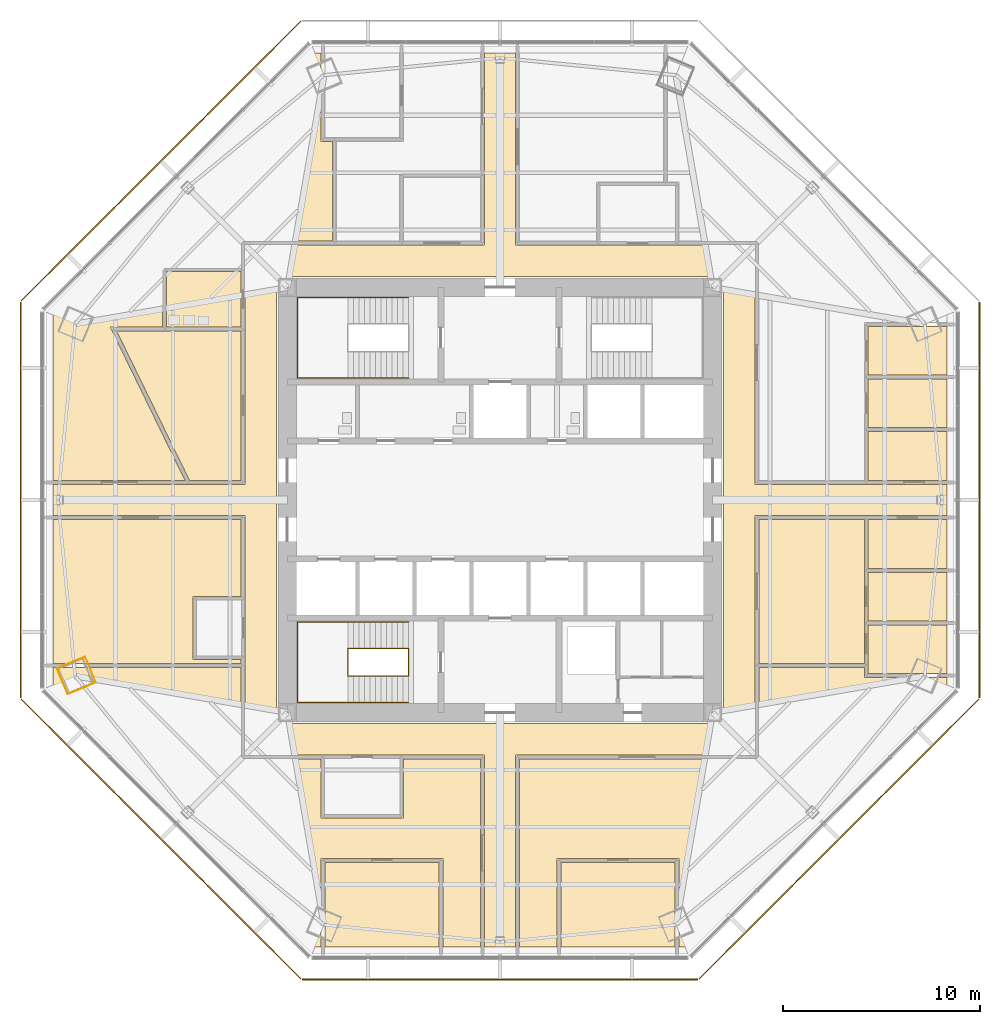
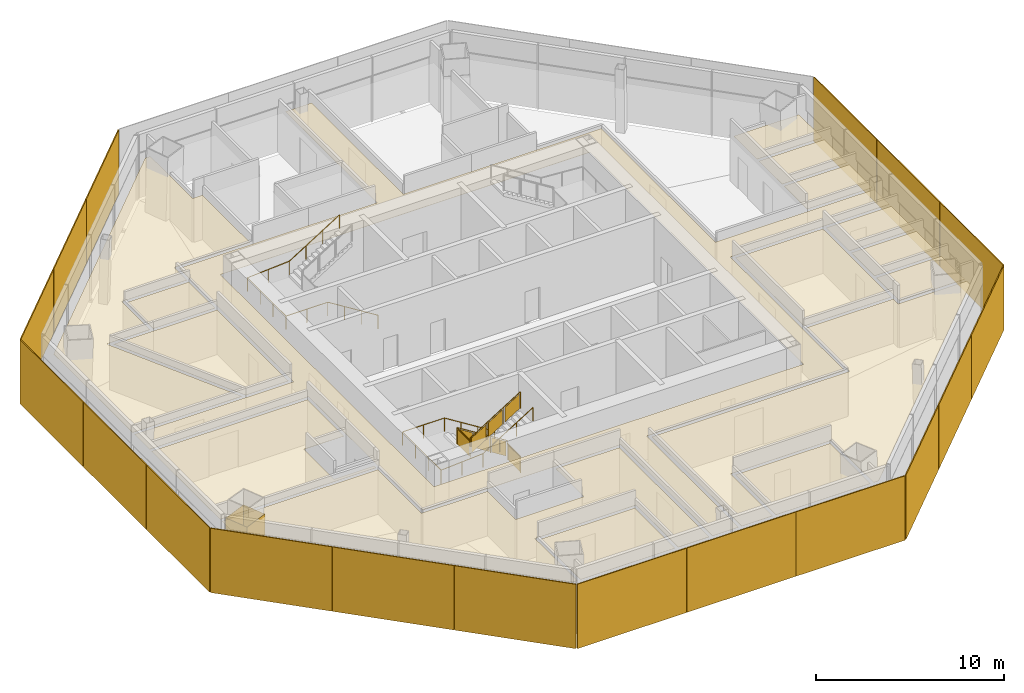
# One storey, part 13 of 15: 18 shading devices, 17 coverings, 3 railings.
"""IFC4 building model written with IfcOpenShell, lengths in metres."""

from ifc_helpers import new_model, si_unit, direction, frame, origin, origin_2d, place, context, subcontext, project, spatial, polyline, rectangle, circle, outline, extrude, source, transform, mapped, material, layer, layer_set, type_object, type_shapes, element, save


model = new_model("IFC4")

# Units and contexts
model_context = context("Model", 3, precision=1e-05, world=origin(), true_north=direction((0.0, 1.0)))
body_context = subcontext(model_context, "Body", "Model", "MODEL_VIEW")
ifc_project = project(units=[si_unit("LENGTHUNIT", "METRE"), si_unit("AREAUNIT", "SQUARE_METRE"), si_unit("VOLUMEUNIT", "CUBIC_METRE"), si_unit("PLANEANGLEUNIT", "RADIAN"), si_unit("MASSUNIT", "GRAM", prefix="KILO")], contexts=[model_context])

# Site, building, storey
site_placement = place(None, origin())
site = spatial("IfcSite", under=ifc_project, at=site_placement, CompositionType="ELEMENT")
building_placement = place(site_placement, origin())
building = spatial("IfcBuilding", under=site, at=building_placement, Name="Mashrafa Tower", CompositionType="ELEMENT")
storey_placement = place(building_placement, frame((0.0, 0.0, 168.0)))
storey = spatial("IfcBuildingStorey", under=building, at=storey_placement, Name="L38", CompositionType="ELEMENT", Elevation=168.0)

# Covering
ifc_material_1 = material(Name="Gypsum board")
ifc_layer_1 = layer(ifc_material_1, 0.014892578125)
ifc_layer_set_1 = layer_set([ifc_layer_1], Name="Column casing plasterboard 15")
covering_type_1 = type_object("IfcCoveringType", Name="Column casing plasterboard 15", PredefinedType="CLADDING", material=ifc_layer_set_1)
covering_1_placement = place(storey_placement, origin())
element("IfcCovering", 1, at=covering_1_placement, inside=storey, type_object=covering_type_1, Name="Column casing L38-002", PredefinedType="CLADDING", context=body_context, shape_type="SweptSolid", body=[
    extrude(outline(polyline([(-22.5185546875, -8.5537109375), (-21.077880859375, -7.956787109375), (-20.53076171875, -9.278076171875), (-20.663330078125, -9.3330078125), (-21.97119140625, -9.874755859375), (-22.5185546875, -8.5537109375)]), holes=[polyline([(-20.669189453125, -9.319091796875), (-20.55029296875, -9.27001953125), (-21.086181640625, -7.9765625), (-22.498779296875, -8.561767578125), (-21.963134765625, -9.85498046875), (-20.669189453125, -9.319091796875)])]), origin(), (0.0, 0.0, 1.0), 3.097900390625),
])

# Railings
ifc_material_2 = material(Name="Steel guard with glass infill", Category="steel")
railing_type_1 = type_object("IfcRailingType", Name="Stair guard 1100", PredefinedType="GUARDRAIL", material=ifc_material_2)
railing_1_placement = place(storey_placement, frame((-4.64990234375, -8.949951171875, 0.0)))
element("IfcRailing", 2, at=railing_1_placement, inside=storey, type_object=railing_type_1, Name="Stair S3 guard L38", PredefinedType="GUARDRAIL", context=body_context, shape_type="SweptSolid", body=[
    extrude(circle(Radius=0.02392578125, at=origin_2d()), frame((0.0, 0.0, 1.076171875), z_axis=(0.0, 1.0, 0.0), x_axis=(-1.0, 0.0, 0.0)), (0.0, 0.0, 1.0), 1.39990234375),
    extrude(circle(Radius=0.02392578125, at=origin_2d()), frame((0.0, 1.39990234375, 1.076171875), z_axis=(0.0, 0.0, 1.0), x_axis=(1.0, 0.0, 0.0)), (0.0, 0.0, 1.0), 0.175048828125),
    extrude(circle(Radius=0.02392578125, at=origin_2d()), frame((0.0, 1.39990234375, 1.2509765625), z_axis=(-0.847998304005, 0.0, 0.529998940003), x_axis=(0.0, -1.0, 0.0)), (0.0, 0.0, 1.0), 3.632080078125),
    extrude(circle(Radius=0.02392578125, at=origin_2d()), frame((-3.080078125, 1.39990234375, 3.17626953125), z_axis=(0.0, -1.0, 0.0), x_axis=(1.0, 0.0, 0.0)), (0.0, 0.0, 1.0), 1.39990234375),
    extrude(circle(Radius=0.02392578125, at=origin_2d()), frame((-3.080078125, 0.0, 3.17626953125), z_axis=(0.0, 0.0, 1.0), x_axis=(1.0, 0.0, 0.0)), (0.0, 0.0, 1.0), 0.1748046875),
    extrude(circle(Radius=0.02392578125, at=origin_2d()), frame((-3.080078125, 0.0, 3.35107421875), z_axis=(0.847998304005, 0.0, 0.529998940003), x_axis=(0.0, 1.0, 0.0)), (0.0, 0.0, 1.0), 3.632080078125),
    extrude(circle(Radius=0.02099609375, at=origin_2d()), origin(), (0.0, 0.0, 1.0), 1.052001953125),
    extrude(circle(Radius=0.02099609375, at=origin_2d()), frame((0.0, 1.39990234375, 0.0)), (0.0, 0.0, 1.0), 1.052001953125),
    extrude(circle(Radius=0.02099609375, at=origin_2d()), frame((0.0, 1.39990234375, 0.175048828125)), (0.0, 0.0, 1.0), 1.052001953125),
    extrude(circle(Radius=0.02099609375, at=origin_2d()), frame((-1.026611328125, 1.39990234375, 0.816650390625)), (0.0, 0.0, 1.0), 1.052001953125),
    extrude(circle(Radius=0.02099609375, at=origin_2d()), frame((-2.053466796875, 1.39990234375, 1.45849609375)), (0.0, 0.0, 1.0), 1.052001953125),
    extrude(circle(Radius=0.02099609375, at=origin_2d()), frame((-3.080078125, 1.39990234375, 2.10009765625)), (0.0, 0.0, 1.0), 1.052001953125),
    extrude(circle(Radius=0.02099609375, at=origin_2d()), frame((-3.080078125, 0.0, 2.10009765625)), (0.0, 0.0, 1.0), 1.052001953125),
    extrude(circle(Radius=0.02099609375, at=origin_2d()), frame((-3.080078125, 0.0, 2.27490234375)), (0.0, 0.0, 1.0), 1.052001953125),
    extrude(circle(Radius=0.02099609375, at=origin_2d()), frame((-2.053466796875, 0.0, 2.91650390625)), (0.0, 0.0, 1.0), 1.052001953125),
    extrude(circle(Radius=0.02099609375, at=origin_2d()), frame((-1.026611328125, 0.0, 3.558349609375)), (0.0, 0.0, 1.0), 1.052001953125),
    extrude(circle(Radius=0.02099609375, at=origin_2d()), frame((0.0, 0.0, 4.199951171875)), (0.0, 0.0, 1.0), 1.052001953125),
    extrude(outline(polyline([(0.071044921875, 0.050048828125), (1.328857421875, 0.050048828125), (1.328857421875, 1.001953125), (0.071044921875, 1.001953125), (0.071044921875, 0.050048828125)])), frame((0.006103515625, 0.0, 0.0), z_axis=(1.0, 0.0, 0.0), x_axis=(0.0, 1.0, 0.0)), (0.0, 0.0, 1.0), 0.011962890625),
    extrude(outline(polyline([(0.071044921875, 0.094482421875), (0.955810546875, 0.647216796875), (0.955810546875, 1.599365234375), (0.071044921875, 1.04638671875), (0.071044921875, 0.094482421875)])), frame((0.0, 1.406005859375, 0.175048828125), z_axis=(0.0, 1.0, 0.0), x_axis=(-1.0, 0.0, 0.0)), (0.0, 0.0, 1.0), 0.011962890625),
    extrude(outline(polyline([(1.09765625, 0.736083984375), (1.982421875, 1.2890625), (1.982421875, 2.240966796875), (1.09765625, 1.68798828125), (1.09765625, 0.736083984375)])), frame((0.0, 1.406005859375, 0.175048828125), z_axis=(0.0, 1.0, 0.0), x_axis=(-1.0, 0.0, 0.0)), (0.0, 0.0, 1.0), 0.011962890625),
    extrude(outline(polyline([(2.124267578125, 1.377685546875), (3.009033203125, 1.9306640625), (3.009033203125, 2.882568359375), (2.124267578125, 2.329833984375), (2.124267578125, 1.377685546875)])), frame((0.0, 1.406005859375, 0.175048828125), z_axis=(0.0, 1.0, 0.0), x_axis=(-1.0, 0.0, 0.0)), (0.0, 0.0, 1.0), 0.011962890625),
    extrude(outline(polyline([(0.071044921875, 0.050048828125), (1.328857421875, 0.050048828125), (1.328857421875, 1.001953125), (0.071044921875, 1.001953125), (0.071044921875, 0.050048828125)])), frame((-3.086181640625, 1.39990234375, 2.10009765625), z_axis=(-1.0, 0.0, 0.0), x_axis=(0.0, -1.0, 0.0)), (0.0, 0.0, 1.0), 0.011962890625),
    extrude(outline(polyline([(0.071044921875, 0.094482421875), (0.955810546875, 0.647216796875), (0.955810546875, 1.599365234375), (0.071044921875, 1.04638671875), (0.071044921875, 0.094482421875)])), frame((-3.080078125, -0.006103515625, 2.27490234375), z_axis=(0.0, -1.0, 0.0), x_axis=(1.0, 0.0, 0.0)), (0.0, 0.0, 1.0), 0.011962890625),
    extrude(outline(polyline([(1.09765625, 0.736083984375), (1.982421875, 1.2890625), (1.982421875, 2.240966796875), (1.09765625, 1.68798828125), (1.09765625, 0.736083984375)])), frame((-3.080078125, -0.006103515625, 2.27490234375), z_axis=(0.0, -1.0, 0.0), x_axis=(1.0, 0.0, 0.0)), (0.0, 0.0, 1.0), 0.011962890625),
    extrude(outline(polyline([(2.124267578125, 1.377685546875), (3.009033203125, 1.9306640625), (3.009033203125, 2.882568359375), (2.124267578125, 2.329833984375), (2.124267578125, 1.377685546875)])), frame((-3.080078125, -0.006103515625, 2.27490234375), z_axis=(0.0, -1.0, 0.0), x_axis=(1.0, 0.0, 0.0)), (0.0, 0.0, 1.0), 0.011962890625),
])
ifc_material_3 = material(Name="Steel", Category="steel")
railing_type_2 = type_object("IfcRailingType", Name="Stair handrail 900", PredefinedType="HANDRAIL", material=ifc_material_3)
railing_2_placement = place(storey_placement, frame((-4.64990234375, 6.199951171875, 0.175048828125)))
element("IfcRailing", 3, at=railing_2_placement, inside=storey, type_object=railing_type_2, Name="Stair S1 handrail L38", PredefinedType="HANDRAIL", context=body_context, shape_type="SweptSolid", body=[
    extrude(circle(Radius=0.02392578125, at=origin_2d()), frame((0.0, 0.0, 0.8759765625), z_axis=(-0.847998304005, 0.0, 0.529998940003), x_axis=(0.0, -1.0, 0.0)), (0.0, 0.0, 1.0), 3.632080078125),
    extrude(circle(Radius=0.02392578125, at=origin_2d()), frame((-3.080078125, 0.0, 2.80078125), z_axis=(-1.0, 0.0, 0.0), x_axis=(0.0, -1.0, 0.0)), (0.0, 0.0, 1.0), 2.570068359375),
    extrude(circle(Radius=0.02392578125, at=origin_2d()), frame((-5.650146484375, 0.0, 2.80078125), z_axis=(0.0, 1.0, 0.0), x_axis=(-1.0, 0.0, 0.0)), (0.0, 0.0, 1.0), 4.10009765625),
    extrude(circle(Radius=0.02392578125, at=origin_2d()), frame((-5.650146484375, 4.10009765625, 2.80078125), z_axis=(0.99769493506, 0.0, 0.067858798661), x_axis=(0.0, 1.0, 0.0)), (0.0, 0.0, 1.0), 2.575927734375),
    extrude(circle(Radius=0.02392578125, at=origin_2d()), frame((-3.080078125, 4.10009765625, 2.9755859375), z_axis=(0.847998304005, 0.0, 0.529998940003), x_axis=(0.0, 1.0, 0.0)), (0.0, 0.0, 1.0), 3.632080078125),
    extrude(circle(Radius=0.02099609375, at=origin_2d()), origin(), (0.0, 0.0, 1.0), 0.851806640625),
    extrude(circle(Radius=0.02099609375, at=origin_2d()), frame((-1.026611328125, 0.0, 0.6416015625)), (0.0, 0.0, 1.0), 0.851806640625),
    extrude(circle(Radius=0.02099609375, at=origin_2d()), frame((-2.053466796875, 0.0, 1.283447265625)), (0.0, 0.0, 1.0), 0.851806640625),
    extrude(circle(Radius=0.02099609375, at=origin_2d()), frame((-3.080078125, 0.0, 1.925048828125)), (0.0, 0.0, 1.0), 0.851806640625),
    extrude(circle(Radius=0.02099609375, at=origin_2d()), frame((-4.365234375, 0.0, 1.925048828125)), (0.0, 0.0, 1.0), 0.851806640625),
    extrude(circle(Radius=0.02099609375, at=origin_2d()), frame((-5.650146484375, 0.0, 1.925048828125)), (0.0, 0.0, 1.0), 0.851806640625),
    extrude(circle(Radius=0.02099609375, at=origin_2d()), frame((-5.650146484375, 1.36669921875, 1.925048828125)), (0.0, 0.0, 1.0), 0.851806640625),
    extrude(circle(Radius=0.02099609375, at=origin_2d()), frame((-5.650146484375, 2.7333984375, 1.925048828125)), (0.0, 0.0, 1.0), 0.851806640625),
    extrude(circle(Radius=0.02099609375, at=origin_2d()), frame((-5.650146484375, 4.10009765625, 1.925048828125)), (0.0, 0.0, 1.0), 0.851806640625),
    extrude(circle(Radius=0.02099609375, at=origin_2d()), frame((-4.365234375, 4.10009765625, 2.012451171875)), (0.0, 0.0, 1.0), 0.851806640625),
    extrude(circle(Radius=0.02099609375, at=origin_2d()), frame((-3.080078125, 4.10009765625, 2.099853515625)), (0.0, 0.0, 1.0), 0.851806640625),
    extrude(circle(Radius=0.02099609375, at=origin_2d()), frame((-2.053466796875, 4.10009765625, 2.741455078125)), (0.0, 0.0, 1.0), 0.851806640625),
    extrude(circle(Radius=0.02099609375, at=origin_2d()), frame((-1.026611328125, 4.10009765625, 3.38330078125)), (0.0, 0.0, 1.0), 0.851806640625),
    extrude(circle(Radius=0.02099609375, at=origin_2d()), frame((0.0, 4.10009765625, 4.02490234375)), (0.0, 0.0, 1.0), 0.851806640625),
])
railing_3_placement = place(storey_placement, frame((-4.64990234375, -6.199951171875, 0.175048828125)))
element("IfcRailing", 4, at=railing_3_placement, inside=storey, type_object=railing_type_2, Name="Stair S3 handrail L38", PredefinedType="HANDRAIL", context=body_context, shape_type="SweptSolid", body=[
    extrude(circle(Radius=0.02392578125, at=origin_2d()), frame((0.0, 0.0, 0.8759765625), z_axis=(-0.847998304005, 0.0, 0.529998940003), x_axis=(0.0, -1.0, 0.0)), (0.0, 0.0, 1.0), 3.632080078125),
    extrude(circle(Radius=0.02392578125, at=origin_2d()), frame((-3.080078125, 0.0, 2.80078125), z_axis=(-1.0, 0.0, 0.0), x_axis=(0.0, -1.0, 0.0)), (0.0, 0.0, 1.0), 2.570068359375),
    extrude(circle(Radius=0.02392578125, at=origin_2d()), frame((-5.650146484375, 0.0, 2.80078125), z_axis=(0.0, -1.0, 0.0), x_axis=(1.0, 0.0, 0.0)), (0.0, 0.0, 1.0), 4.10009765625),
    extrude(circle(Radius=0.02392578125, at=origin_2d()), frame((-5.650146484375, -4.10009765625, 2.80078125), z_axis=(0.99769493506, 0.0, 0.067858798661), x_axis=(0.0, 1.0, 0.0)), (0.0, 0.0, 1.0), 2.575927734375),
    extrude(circle(Radius=0.02392578125, at=origin_2d()), frame((-3.080078125, -4.10009765625, 2.9755859375), z_axis=(0.847998304005, 0.0, 0.529998940003), x_axis=(0.0, 1.0, 0.0)), (0.0, 0.0, 1.0), 3.632080078125),
    extrude(circle(Radius=0.02099609375, at=origin_2d()), origin(), (0.0, 0.0, 1.0), 0.851806640625),
    extrude(circle(Radius=0.02099609375, at=origin_2d()), frame((-1.026611328125, 0.0, 0.6416015625)), (0.0, 0.0, 1.0), 0.851806640625),
    extrude(circle(Radius=0.02099609375, at=origin_2d()), frame((-2.053466796875, 0.0, 1.283447265625)), (0.0, 0.0, 1.0), 0.851806640625),
    extrude(circle(Radius=0.02099609375, at=origin_2d()), frame((-3.080078125, 0.0, 1.925048828125)), (0.0, 0.0, 1.0), 0.851806640625),
    extrude(circle(Radius=0.02099609375, at=origin_2d()), frame((-4.365234375, 0.0, 1.925048828125)), (0.0, 0.0, 1.0), 0.851806640625),
    extrude(circle(Radius=0.02099609375, at=origin_2d()), frame((-5.650146484375, 0.0, 1.925048828125)), (0.0, 0.0, 1.0), 0.851806640625),
    extrude(circle(Radius=0.02099609375, at=origin_2d()), frame((-5.650146484375, -1.36669921875, 1.925048828125)), (0.0, 0.0, 1.0), 0.851806640625),
    extrude(circle(Radius=0.02099609375, at=origin_2d()), frame((-5.650146484375, -2.7333984375, 1.925048828125)), (0.0, 0.0, 1.0), 0.851806640625),
    extrude(circle(Radius=0.02099609375, at=origin_2d()), frame((-5.650146484375, -4.10009765625, 1.925048828125)), (0.0, 0.0, 1.0), 0.851806640625),
    extrude(circle(Radius=0.02099609375, at=origin_2d()), frame((-4.365234375, -4.10009765625, 2.012451171875)), (0.0, 0.0, 1.0), 0.851806640625),
    extrude(circle(Radius=0.02099609375, at=origin_2d()), frame((-3.080078125, -4.10009765625, 2.099853515625)), (0.0, 0.0, 1.0), 0.851806640625),
    extrude(circle(Radius=0.02099609375, at=origin_2d()), frame((-2.053466796875, -4.10009765625, 2.741455078125)), (0.0, 0.0, 1.0), 0.851806640625),
    extrude(circle(Radius=0.02099609375, at=origin_2d()), frame((-1.026611328125, -4.10009765625, 3.38330078125)), (0.0, 0.0, 1.0), 0.851806640625),
    extrude(circle(Radius=0.02099609375, at=origin_2d()), frame((0.0, -4.10009765625, 4.02490234375)), (0.0, 0.0, 1.0), 0.851806640625),
])

# Coverings
ifc_material_4 = material(Name="Mineral fibre tile on suspension grid")
ifc_layer_2 = layer(ifc_material_4, 0.014892578125)
ifc_layer_set_2 = layer_set([ifc_layer_2], Name="Suspended ceiling mineral tile 15")
covering_type_2 = type_object("IfcCoveringType", Name="Suspended ceiling mineral tile 15", PredefinedType="CEILING", material=ifc_layer_set_2)
covering_2_placement = place(storey_placement, frame((0.0, 0.0, 2.89990234375)))
element("IfcCovering", 5, at=covering_2_placement, inside=storey, type_object=covering_type_2, Name="Ceiling Office Corridor L38", PredefinedType="CEILING", context=body_context, shape_type="SweptSolid", body=[
    extrude(outline(polyline([(-12.949951171875, -12.949951171875), (-12.949951171875, -0.800048828125), (-22.712158203125, -0.800048828125), (-22.712158203125, 0.800048828125), (-12.949951171875, 0.800048828125), (-12.949951171875, 12.949951171875), (-0.800048828125, 12.949951171875), (-0.800048828125, 22.712158203125), (0.800048828125, 22.712158203125), (0.800048828125, 12.949951171875), (12.949951171875, 12.949951171875), (12.949951171875, 0.800048828125), (22.712158203125, 0.800048828125), (22.712158203125, -0.800048828125), (12.949951171875, -0.800048828125), (12.949951171875, -12.949951171875), (0.800048828125, -12.949951171875), (0.800048828125, -22.712158203125), (-0.800048828125, -22.712158203125), (-0.800048828125, -12.949951171875), (-12.949951171875, -12.949951171875)]), holes=[polyline([(11.35009765625, 11.35009765625), (-11.35009765625, 11.35009765625), (-11.35009765625, -11.35009765625), (11.35009765625, -11.35009765625), (11.35009765625, 11.35009765625)])]), origin(), (0.0, 0.0, 1.0), 0.01513671875),
])
covering_3_placement = place(storey_placement, frame((0.0, 0.0, 2.89990234375)))
element("IfcCovering", 6, at=covering_3_placement, inside=storey, type_object=covering_type_2, Name="Ceiling Musallah Prayer Room 38", PredefinedType="CEILING", context=body_context, shape_type="SweptSolid", body=[
    extrude(outline(polyline([(-15.783203125, 1.0), (-19.489990234375, 8.60009765625), (-13.14990234375, 8.60009765625), (-13.14990234375, 1.0), (-15.783203125, 1.0)])), origin(), (0.0, 0.0, 1.0), 0.01513671875),
])
covering_4_placement = place(storey_placement, frame((0.0, 0.0, 2.89990234375)))
element("IfcCovering", 7, at=covering_4_placement, inside=storey, type_object=covering_type_2, Name="Ceiling Ablution Room L38", PredefinedType="CEILING", context=body_context, shape_type="SweptSolid", body=[
    extrude(outline(polyline([(-16.949951171875, 8.800048828125), (-16.949951171875, 11.60009765625), (-13.14990234375, 11.60009765625), (-13.14990234375, 8.800048828125), (-16.949951171875, 8.800048828125)])), origin(), (0.0, 0.0, 1.0), 0.01513671875),
])
covering_5_placement = place(storey_placement, frame((0.0, 0.0, 2.89990234375)))
element("IfcCovering", 8, at=covering_5_placement, inside=storey, type_object=covering_type_2, Name="Ceiling Office 38-2-SE2-1", PredefinedType="CEILING", context=body_context, shape_type="SweptSolid", body=[
    extrude(outline(polyline([(18.712158203125, -6.343994140625), (22.712158203125, -6.343994140625), (22.712158203125, -8.81591796875), (18.712158203125, -8.81591796875), (18.712158203125, -6.343994140625)])), origin(), (0.0, 0.0, 1.0), 0.01513671875),
])
covering_6_placement = place(storey_placement, frame((0.0, 0.0, 2.89990234375)))
element("IfcCovering", 9, at=covering_6_placement, inside=storey, type_object=covering_type_2, Name="Ceiling Office 38-2-SE2-2", PredefinedType="CEILING", context=body_context, shape_type="SweptSolid", body=[
    extrude(outline(polyline([(18.712158203125, -3.672119140625), (22.712158203125, -3.672119140625), (22.712158203125, -6.14404296875), (18.712158203125, -6.14404296875), (18.712158203125, -3.672119140625)])), origin(), (0.0, 0.0, 1.0), 0.01513671875),
])
covering_7_placement = place(storey_placement, frame((0.0, 0.0, 2.89990234375)))
element("IfcCovering", 10, at=covering_7_placement, inside=storey, type_object=covering_type_2, Name="Ceiling Office 38-1-3", PredefinedType="CEILING", context=body_context, shape_type="SweptSolid", body=[
    extrude(outline(polyline([(18.712158203125, -1.0), (22.712158203125, -1.0), (22.712158203125, -3.471923828125), (18.712158203125, -3.471923828125), (18.712158203125, -1.0)])), origin(), (0.0, 0.0, 1.0), 0.01513671875),
])
covering_8_placement = place(storey_placement, frame((0.0, 0.0, 2.89990234375)))
element("IfcCovering", 11, at=covering_8_placement, inside=storey, type_object=covering_type_2, Name="Ceiling Office 38-2-1", PredefinedType="CEILING", context=body_context, shape_type="SweptSolid", body=[
    extrude(outline(polyline([(18.712158203125, 3.471923828125), (22.712158203125, 3.471923828125), (22.712158203125, 1.0), (18.712158203125, 1.0), (18.712158203125, 3.471923828125)])), origin(), (0.0, 0.0, 1.0), 0.01513671875),
])
covering_9_placement = place(storey_placement, frame((0.0, 0.0, 2.89990234375)))
element("IfcCovering", 12, at=covering_9_placement, inside=storey, type_object=covering_type_2, Name="Ceiling Office 38-1-NE1-1", PredefinedType="CEILING", context=body_context, shape_type="SweptSolid", body=[
    extrude(outline(polyline([(18.712158203125, 6.14404296875), (22.712158203125, 6.14404296875), (22.712158203125, 3.672119140625), (18.712158203125, 3.672119140625), (18.712158203125, 6.14404296875)])), origin(), (0.0, 0.0, 1.0), 0.01513671875),
])
covering_10_placement = place(storey_placement, frame((0.0, 0.0, 2.89990234375)))
element("IfcCovering", 13, at=covering_10_placement, inside=storey, type_object=covering_type_2, Name="Ceiling Office 38-1-NE1-2", PredefinedType="CEILING", context=body_context, shape_type="SweptSolid", body=[
    extrude(outline(polyline([(18.712158203125, 8.81591796875), (22.712158203125, 8.81591796875), (22.712158203125, 6.343994140625), (18.712158203125, 6.343994140625), (18.712158203125, 8.81591796875)])), origin(), (0.0, 0.0, 1.0), 0.01513671875),
])
covering_11_placement = place(storey_placement, frame((0.0, 0.0, 2.89990234375)))
element("IfcCovering", 14, at=covering_11_placement, inside=storey, type_object=covering_type_2, Name="Ceiling Meeting Room 38-2-SW1", PredefinedType="CEILING", context=body_context, shape_type="SweptSolid", body=[
    extrude(outline(polyline([(-8.89990234375, -18.412109375), (-3.10009765625, -18.412109375), (-3.10009765625, -22.712158203125), (-8.89990234375, -22.712158203125), (-8.89990234375, -18.412109375)])), origin(), (0.0, 0.0, 1.0), 0.01513671875),
])
covering_12_placement = place(storey_placement, frame((0.0, 0.0, 2.89990234375)))
element("IfcCovering", 15, at=covering_12_placement, inside=storey, type_object=covering_type_2, Name="Ceiling Meeting Room 38-1-SE1", PredefinedType="CEILING", context=body_context, shape_type="SweptSolid", body=[
    extrude(outline(polyline([(3.10009765625, -18.412109375), (8.89990234375, -18.412109375), (8.89990234375, -22.712158203125), (3.10009765625, -22.712158203125), (3.10009765625, -18.412109375)])), origin(), (0.0, 0.0, 1.0), 0.01513671875),
])
covering_13_placement = place(storey_placement, frame((0.0, 0.0, 2.89990234375)))
element("IfcCovering", 16, at=covering_13_placement, inside=storey, type_object=covering_type_2, Name="Ceiling Office Tenancy 38-3-NW1", PredefinedType="CEILING", context=body_context, shape_type="SweptSolid", body=[
    extrude(outline(polyline([(-22.712158203125, 1.0), (-22.712158203125, 9.40771484375), (-9.40771484375, 22.712158203125), (-9.10009765625, 22.712158203125), (-9.10009765625, 18.212158203125), (-8.5, 18.212158203125), (-8.5, 13.14990234375), (-13.14990234375, 13.14990234375), (-13.14990234375, 11.800048828125), (-17.14990234375, 11.800048828125), (-17.14990234375, 8.800048828125), (-19.81005859375, 8.800048828125), (-16.005615234375, 1.0), (-22.712158203125, 1.0)])), origin(), (0.0, 0.0, 1.0), 0.01513671875),
])
covering_14_placement = place(storey_placement, frame((0.0, 0.0, 2.89990234375)))
element("IfcCovering", 17, at=covering_14_placement, inside=storey, type_object=covering_type_2, Name="Ceiling Office Tenancy 38-2-SW1", PredefinedType="CEILING", context=body_context, shape_type="SweptSolid", body=[
    extrude(outline(polyline([(-1.0, -22.712158203125), (-2.89990234375, -22.712158203125), (-2.89990234375, -18.212158203125), (-9.10009765625, -18.212158203125), (-9.10009765625, -22.712158203125), (-9.40771484375, -22.712158203125), (-22.712158203125, -9.40771484375), (-22.712158203125, -8.5), (-13.14990234375, -8.5), (-13.14990234375, -13.14990234375), (-9.10009765625, -13.14990234375), (-9.10009765625, -16.14990234375), (-4.89990234375, -16.14990234375), (-4.89990234375, -13.14990234375), (-1.0, -13.14990234375), (-1.0, -22.712158203125)])), origin(), (0.0, 0.0, 1.0), 0.01513671875),
])
covering_15_placement = place(storey_placement, frame((0.0, 0.0, 2.89990234375)))
element("IfcCovering", 18, at=covering_15_placement, inside=storey, type_object=covering_type_2, Name="Ceiling Office Tenancy 38-3-SW2", PredefinedType="CEILING", context=body_context, shape_type="SweptSolid", body=[
    extrude(outline(polyline([(-13.14990234375, -8.300048828125), (-22.712158203125, -8.300048828125), (-22.712158203125, -1.0), (-13.14990234375, -1.0), (-13.14990234375, -4.89990234375), (-15.60009765625, -4.89990234375), (-15.60009765625, -8.10009765625), (-13.14990234375, -8.10009765625), (-13.14990234375, -8.300048828125)])), origin(), (0.0, 0.0, 1.0), 0.01513671875),
])
covering_16_placement = place(storey_placement, frame((0.0, 0.0, 2.89990234375)))
element("IfcCovering", 19, at=covering_16_placement, inside=storey, type_object=covering_type_2, Name="Ceiling Office Tenancy 38-1-SE1", PredefinedType="CEILING", context=body_context, shape_type="SweptSolid", body=[
    extrude(outline(polyline([(13.14990234375, -8.5), (18.51220703125, -8.5), (18.51220703125, -9.01611328125), (22.712158203125, -9.01611328125), (22.712158203125, -9.40771484375), (9.40771484375, -22.712158203125), (9.10009765625, -22.712158203125), (9.10009765625, -18.212158203125), (2.89990234375, -18.212158203125), (2.89990234375, -22.712158203125), (1.0, -22.712158203125), (1.0, -13.14990234375), (13.14990234375, -13.14990234375), (13.14990234375, -8.5)])), origin(), (0.0, 0.0, 1.0), 0.01513671875),
])
covering_17_placement = place(storey_placement, frame((0.0, 0.0, 2.89990234375)))
element("IfcCovering", 20, at=covering_17_placement, inside=storey, type_object=covering_type_2, Name="Ceiling Office Tenancy 38-2-SE2", PredefinedType="CEILING", context=body_context, shape_type="SweptSolid", body=[
    extrude(outline(polyline([(18.51220703125, -8.300048828125), (13.14990234375, -8.300048828125), (13.14990234375, -1.0), (18.51220703125, -1.0), (18.51220703125, -8.300048828125)])), origin(), (0.0, 0.0, 1.0), 0.01513671875),
])

# Shading devices
ifc_material_5 = material(Name="Perforated aluminium plate, eight-point star pattern", Category="aluminium")
ifc_layer_3 = layer(ifc_material_5, 0.06005859375)
ifc_layer_set_3 = layer_set([ifc_layer_3], Name="Mashrabiya screen panel office zone 2, 40 percent open")
shading_device_type = type_object("IfcShadingDeviceType", Name="Mashrabiya screen panel office zone 2, 40 percent open", PredefinedType="SHUTTER", material=ifc_layer_set_3)
shared_shape = source(origin(), body_context, "Body", "SweptSolid", [
    extrude(rectangle(XDim=6.6923828125, YDim=0.06005859375, at=origin_2d()), origin(), (0.0, 0.0, 1.0), 4.179931640625),
])
type_shapes(shading_device_type, [shared_shape])
for number, where, z_axis, x_axis, name in (
    (21, (24.3623046875, -6.71240234375, -0.14990234375), (0.0, 0.0, 1.0), (0.0, 1.0, 0.0), "Mashrabiya screen L38 east 1"),
    (22, (24.3623046875, 0.0, -0.14990234375), (0.0, 0.0, 1.0), (0.0, 1.0, 0.0), "Mashrabiya screen L38 east 2"),
    (23, (24.3623046875, 6.71240234375, -0.14990234375), (0.0, 0.0, 1.0), (0.0, 1.0, 0.0), "Mashrabiya screen L38 east 3"),
    (24, (-12.480224609375, 21.97314453125, -0.14990234375), (0.0, 0.0, 1.0), (-0.707106781187, -0.707106781187, 0.0), "Mashrabiya screen L38 north-west 1"),
    (25, (-17.226806640625, 17.226806640625, -0.14990234375), (0.0, 0.0, 1.0), (-0.707106781187, -0.707106781187, 0.0), "Mashrabiya screen L38 north-west 2"),
    (26, (-21.97314453125, 12.480224609375, -0.14990234375), (0.0, 0.0, 1.0), (-0.707106781187, -0.707106781187, 0.0), "Mashrabiya screen L38 north-west 3"),
    (27, (-24.3623046875, 6.71240234375, -0.14990234375), (0.0, 0.0, 1.0), (0.0, -1.0, 0.0), "Mashrabiya screen L38 west 1"),
    (28, (-24.3623046875, 0.0, -0.14990234375), (0.0, 0.0, 1.0), (0.0, -1.0, 0.0), "Mashrabiya screen L38 west 2"),
    (29, (-24.3623046875, -6.71240234375, -0.14990234375), (0.0, 0.0, 1.0), (0.0, -1.0, 0.0), "Mashrabiya screen L38 west 3"),
    (30, (-21.97314453125, -12.480224609375, -0.14990234375), (0.0, 0.0, 1.0), (0.707106781187, -0.707106781187, 0.0), "Mashrabiya screen L38 south-west 1"),
    (31, (-17.226806640625, -17.226806640625, -0.14990234375), (0.0, 0.0, 1.0), (0.707106781187, -0.707106781187, 0.0), "Mashrabiya screen L38 south-west 2"),
    (32, (-12.480224609375, -21.97314453125, -0.14990234375), (0.0, 0.0, 1.0), (0.707106781187, -0.707106781187, 0.0), "Mashrabiya screen L38 south-west 3"),
    (33, (-6.71240234375, -24.3623046875, -0.14990234375), (0.0, 0.0, 1.0), (1.0, 0.0, 0.0), "Mashrabiya screen L38 south 1"),
    (34, (0.0, -24.3623046875, -0.14990234375), (0.0, 0.0, 1.0), (1.0, 0.0, 0.0), "Mashrabiya screen L38 south 2"),
    (35, (6.71240234375, -24.3623046875, -0.14990234375), (0.0, 0.0, 1.0), (1.0, 0.0, 0.0), "Mashrabiya screen L38 south 3"),
    (36, (12.480224609375, -21.97314453125, -0.14990234375), (0.0, 0.0, 1.0), (0.707106781187, 0.707106781187, 0.0), "Mashrabiya screen L38 south-east 1"),
    (37, (17.226806640625, -17.226806640625, -0.14990234375), (0.0, 0.0, 1.0), (0.707106781187, 0.707106781187, 0.0), "Mashrabiya screen L38 south-east 2"),
    (38, (21.97314453125, -12.480224609375, -0.14990234375), (0.0, 0.0, 1.0), (0.707106781187, 0.707106781187, 0.0), "Mashrabiya screen L38 south-east 3"),
):
    element("IfcShadingDevice", number, at=place(storey_placement, frame(where, z_axis=z_axis, x_axis=x_axis)), inside=storey, type_object=shading_device_type, Name=name, PredefinedType="SHUTTER", context=body_context, shape_type="MappedRepresentation", body=[
        mapped(shared_shape, transform((0.0, 0.0, 0.0))),
    ])

save(model, "model.ifc")
